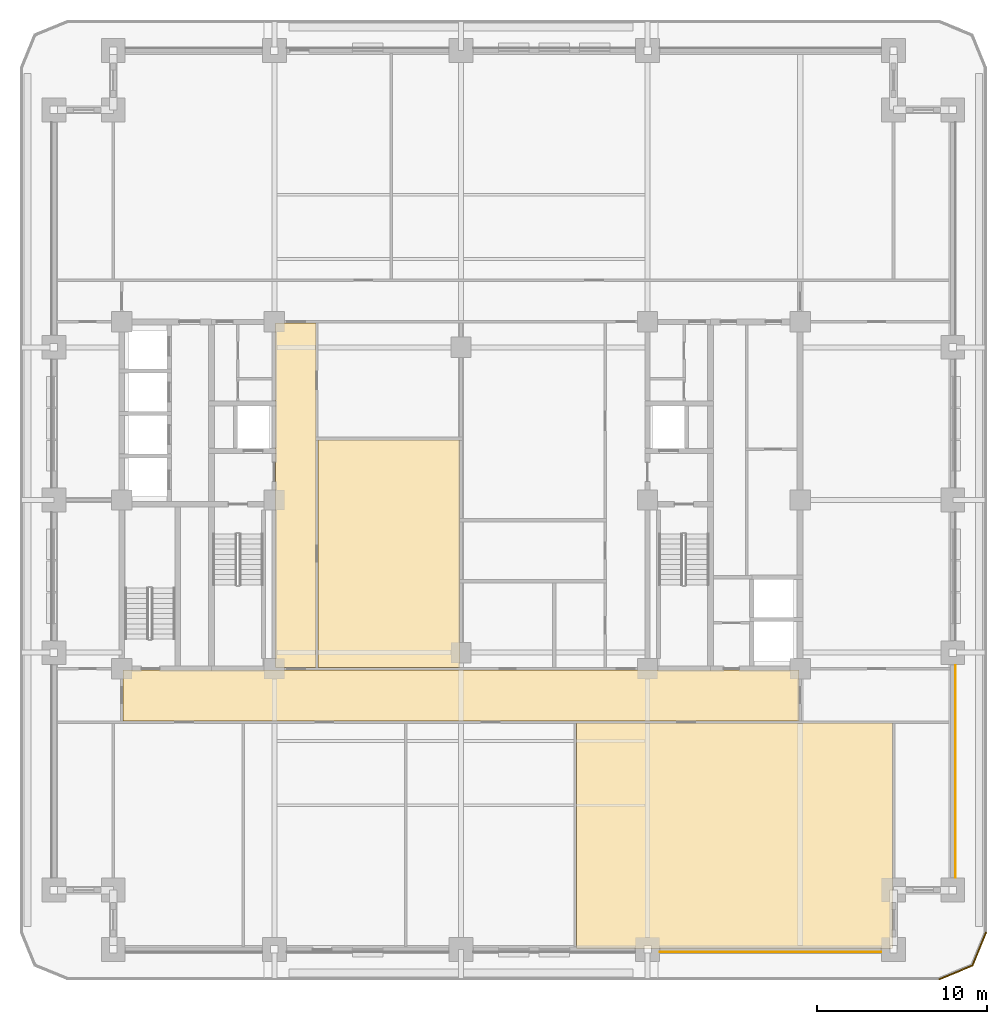
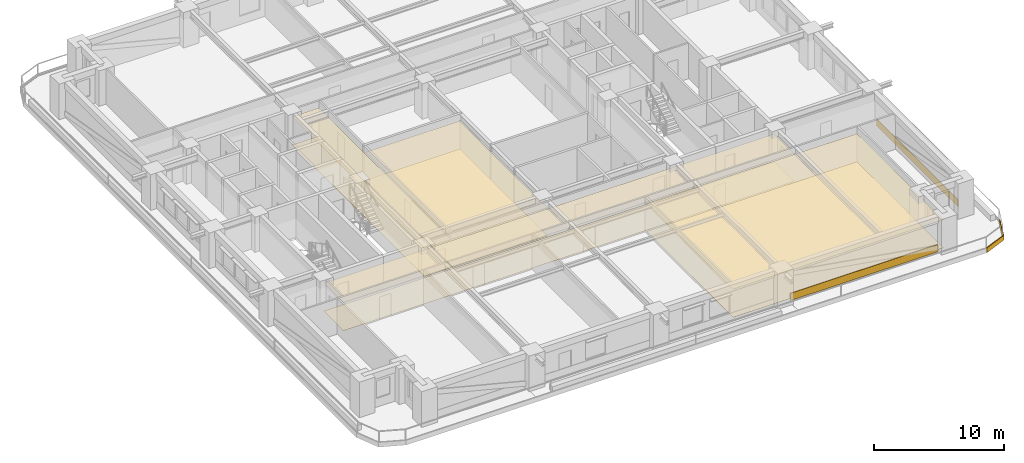
# One storey, part 12 of 14: 12 coverings.
"""IFC4 building model written with IfcOpenShell, lengths in metres."""

from ifc_helpers import new_model, si_unit, direction, frame, frame_2d, origin, place, context, subcontext, project, spatial, polyline, rectangle, outline, extrude, material, layer, layer_set, type_object, element, save


model = new_model("IFC4")

# Units and contexts
model_context = context("Model", 3, precision=1e-05, world=origin(), true_north=direction((0.0, 1.0)))
body_context = subcontext(model_context, "Body", "Model", "MODEL_VIEW")
ifc_project = project(units=[si_unit("LENGTHUNIT", "METRE"), si_unit("AREAUNIT", "SQUARE_METRE"), si_unit("VOLUMEUNIT", "CUBIC_METRE"), si_unit("PLANEANGLEUNIT", "RADIAN"), si_unit("MASSUNIT", "GRAM", prefix="KILO")], contexts=[model_context])

# Site, building, storey
site_placement = place(None, origin())
site = spatial("IfcSite", under=ifc_project, at=site_placement, CompositionType="ELEMENT")
building_placement = place(site_placement, origin())
building = spatial("IfcBuilding", under=site, at=building_placement, Name="Zulmaris Gate Convention Tower", CompositionType="ELEMENT")
storey_placement = place(building_placement, frame((0.0, 0.0, 41.47998046875)))
storey = spatial("IfcBuildingStorey", under=building, at=storey_placement, Name="L09", CompositionType="ELEMENT", Elevation=41.47998046875)

# Coverings
ifc_material_1 = material(Name="Precast concrete C40/50", Category="concrete")
ifc_layer_1 = layer(ifc_material_1, 0.0400390625, Name="Precast concrete C40/50")
ifc_layer_set_1 = layer_set([ifc_layer_1], Name="Precast concrete C40/50")
covering_type_1 = type_object("IfcCoveringType", Name="CLAD-SPANDREL-PRECAST", PredefinedType="CLADDING", material=ifc_layer_set_1)
covering_1_placement = place(storey_placement, frame((11.72998046875, -26.64990234375, 0.0), z_axis=(0.0, 0.0, 1.0), x_axis=(1.0, 0.0, 0.0)))
element("IfcCovering", 1, at=covering_1_placement, inside=storey, type_object=covering_type_1, Name="CLD-L09-S-3_0", PredefinedType="CLADDING", context=body_context, shape_type="SweptSolid", body=[
    extrude(rectangle(XDim=13.0400390625, YDim=0.0400390625, at=frame_2d((6.52001953125, 0.0))), origin(), (0.0, 0.0, 1.0), 0.679931640625),
])
covering_2_placement = place(storey_placement, frame((29.14990234375, -22.27001953125, 0.0), z_axis=(0.0, 0.0, 1.0), x_axis=(0.0, 1.0, 0.0)))
element("IfcCovering", 2, at=covering_2_placement, inside=storey, type_object=covering_type_1, Name="CLD-L09-E-0_0", PredefinedType="CLADDING", context=body_context, shape_type="SweptSolid", body=[
    extrude(rectangle(XDim=12.5400390625, YDim=0.0400390625, at=frame_2d((6.27001953125, 0.0))), origin(), (0.0, 0.0, 1.0), 0.679931640625),
])
ifc_material_2 = material(Name="White Glazed Architectural Precast Concrete C40/50", Category="concrete")
ifc_layer_2 = layer(ifc_material_2, 0.080078125, Name="White Glazed Architectural Precast Concrete C40/50")
ifc_layer_set_2 = layer_set([ifc_layer_2], Name="White Glazed Architectural Precast Concrete C40/50")
covering_type_2 = type_object("IfcCoveringType", Name="CLAD-TRAY-FASCIA", PredefinedType="CLADDING", material=ifc_layer_set_2)
covering_3_placement = place(storey_placement, frame((28.184814453125, -28.262939453125, -0.2900390625), z_axis=(0.0, 0.0, 1.0), x_axis=(0.923873803533, 0.382697263049, 0.0)))
element("IfcCovering", 3, at=covering_3_placement, inside=storey, type_object=covering_type_2, Name="FSC-L09-TR-03", PredefinedType="CLADDING", context=body_context, shape_type="SweptSolid", body=[
    extrude(rectangle(XDim=2.142822265625, YDim=0.080078125, at=frame_2d((1.0712890625, 0.0))), origin(), (0.0, 0.0, 1.0), 0.43994140625),
])
covering_4_placement = place(storey_placement, frame((30.142822265625, -27.464599609375, -0.2900390625), z_axis=(0.0, 0.0, 1.0), x_axis=(0.382656984709, 0.923890487046, 0.0)))
element("IfcCovering", 4, at=covering_4_placement, inside=storey, type_object=covering_type_2, Name="FSC-L09-TR-04", PredefinedType="CLADDING", context=body_context, shape_type="SweptSolid", body=[
    extrude(rectangle(XDim=2.14306640625, YDim=0.080078125, at=frame_2d((1.071533203125, 0.0))), origin(), (0.0, 0.0, 1.0), 0.43994140625),
])
ifc_material_3 = material(Name="Mineral Fibre Acoustic Ceiling Tile")
ifc_layer_3 = layer(ifc_material_3, 0.02001953125, Name="Mineral Fibre Acoustic Ceiling Tile")
ifc_layer_set_3 = layer_set([ifc_layer_3], Name="Mineral Fibre Acoustic Ceiling Tile")
covering_type_3 = type_object("IfcCoveringType", Name="CLG-ACOUSTIC-600", PredefinedType="CEILING", material=ifc_layer_set_3)
covering_5_placement = place(storey_placement, frame((0.0, 0.0, 2.6279296875)))
element("IfcCovering", 5, at=covering_5_placement, inside=storey, type_object=covering_type_3, Name="CLG-L09-R34", PredefinedType="CEILING", context=body_context, shape_type="SweptSolid", body=[
    extrude(outline(polyline([(-19.93994140625, -13.0400390625), (19.93994140625, -13.0400390625), (19.93994140625, -10.010009765625), (-19.93994140625, -10.010009765625), (-19.93994140625, -13.0400390625)])), origin(), (0.0, 0.0, 1.0), 0.02001953125),
])
covering_6_placement = place(storey_placement, frame((0.0, 0.0, 2.6279296875)))
element("IfcCovering", 6, at=covering_6_placement, inside=storey, type_object=covering_type_3, Name="CLG-L09-R35", PredefinedType="CEILING", context=body_context, shape_type="SweptSolid", body=[
    extrude(outline(polyline([(-10.93994140625, -9.889892578125), (-8.56005859375, -9.889892578125), (-8.56005859375, 10.43994140625), (-10.93994140625, 10.43994140625), (-10.93994140625, -9.889892578125)])), origin(), (0.0, 0.0, 1.0), 0.02001953125),
])
covering_7_placement = place(storey_placement, frame((0.0, 0.0, 2.6279296875)))
element("IfcCovering", 7, at=covering_7_placement, inside=storey, type_object=covering_type_3, Name="CLG-L09-R42", PredefinedType="CEILING", context=body_context, shape_type="SweptSolid", body=[
    extrude(outline(polyline([(6.81005859375, -26.43994140625), (25.43994140625, -26.43994140625), (25.43994140625, -13.159912109375), (6.81005859375, -13.159912109375), (6.81005859375, -26.43994140625)])), origin(), (0.0, 0.0, 1.0), 0.02001953125),
])
covering_8_placement = place(storey_placement, frame((0.0, 0.0, 2.6279296875)))
element("IfcCovering", 8, at=covering_8_placement, inside=storey, type_object=covering_type_3, Name="CLG-L09-R44", PredefinedType="CEILING", context=body_context, shape_type="SweptSolid", body=[
    extrude(outline(polyline([(-8.43994140625, -9.889892578125), (-0.06005859375, -9.889892578125), (-0.06005859375, 3.5400390625), (-8.43994140625, 3.5400390625), (-8.43994140625, -9.889892578125)])), origin(), (0.0, 0.0, 1.0), 0.02001953125),
])
ifc_material_4 = material(Name="Woven Acoustic Wool Carpet Tile")
ifc_layer_4 = layer(ifc_material_4, 0.02001953125, Name="Woven Acoustic Wool Carpet Tile")
ifc_layer_set_4 = layer_set([ifc_layer_4], Name="Woven Acoustic Wool Carpet Tile")
covering_type_4 = type_object("IfcCoveringType", Name="FLR-CARPET-12", PredefinedType="FLOORING", material=ifc_layer_set_4)
covering_9_placement = place(storey_placement, origin())
element("IfcCovering", 9, at=covering_9_placement, inside=storey, type_object=covering_type_4, Name="FLR-L09-R34", PredefinedType="FLOORING", context=body_context, shape_type="SweptSolid", body=[
    extrude(outline(polyline([(-19.93994140625, -13.0400390625), (19.93994140625, -13.0400390625), (19.93994140625, -10.010009765625), (-19.93994140625, -10.010009765625), (-19.93994140625, -13.0400390625)])), origin(), (0.0, 0.0, 1.0), 0.02001953125),
])
covering_10_placement = place(storey_placement, origin())
element("IfcCovering", 10, at=covering_10_placement, inside=storey, type_object=covering_type_4, Name="FLR-L09-R35", PredefinedType="FLOORING", context=body_context, shape_type="SweptSolid", body=[
    extrude(outline(polyline([(-10.93994140625, -9.889892578125), (-8.56005859375, -9.889892578125), (-8.56005859375, 10.43994140625), (-10.93994140625, 10.43994140625), (-10.93994140625, -9.889892578125)])), origin(), (0.0, 0.0, 1.0), 0.02001953125),
])
covering_11_placement = place(storey_placement, origin())
element("IfcCovering", 11, at=covering_11_placement, inside=storey, type_object=covering_type_4, Name="FLR-L09-R42", PredefinedType="FLOORING", context=body_context, shape_type="SweptSolid", body=[
    extrude(outline(polyline([(6.81005859375, -26.43994140625), (25.43994140625, -26.43994140625), (25.43994140625, -13.159912109375), (6.81005859375, -13.159912109375), (6.81005859375, -26.43994140625)])), origin(), (0.0, 0.0, 1.0), 0.02001953125),
])
covering_12_placement = place(storey_placement, origin())
element("IfcCovering", 12, at=covering_12_placement, inside=storey, type_object=covering_type_4, Name="FLR-L09-R44", PredefinedType="FLOORING", context=body_context, shape_type="SweptSolid", body=[
    extrude(outline(polyline([(-8.43994140625, -9.889892578125), (-0.06005859375, -9.889892578125), (-0.06005859375, 3.5400390625), (-8.43994140625, 3.5400390625), (-8.43994140625, -9.889892578125)])), origin(), (0.0, 0.0, 1.0), 0.02001953125),
])

save(model, "model.ifc")
